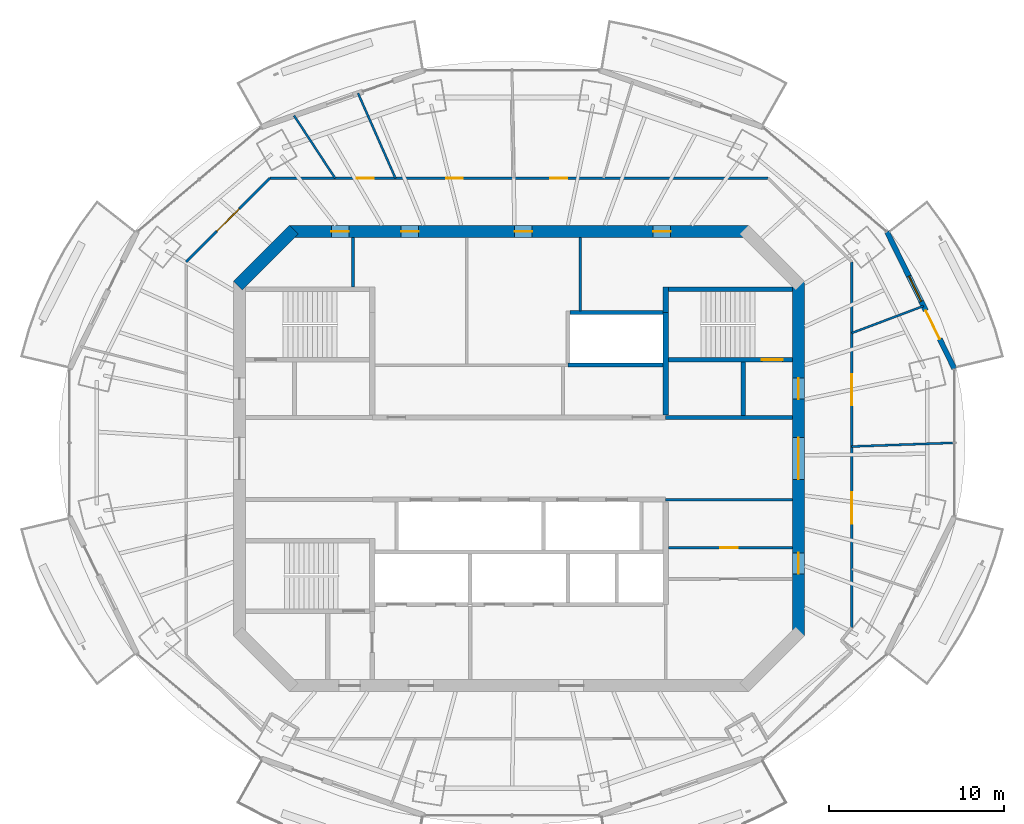
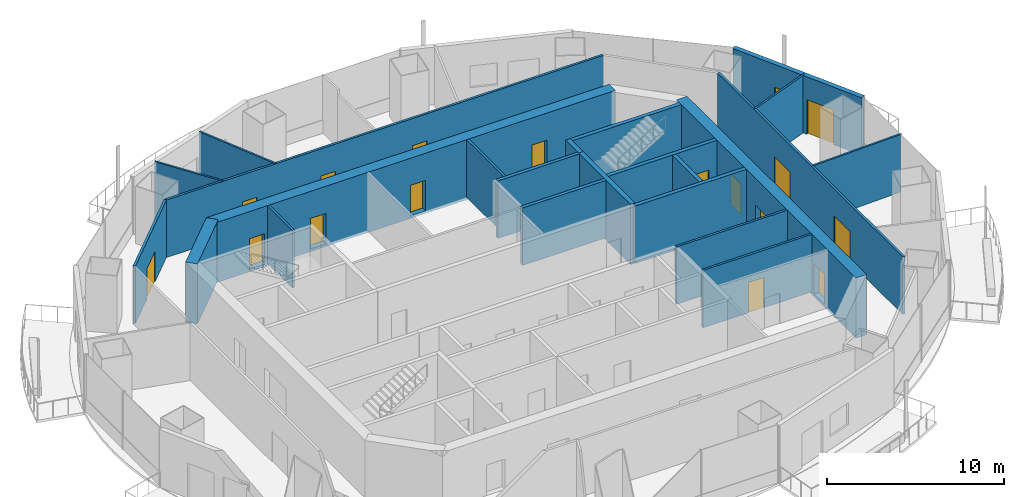
# One storey, part 10 of 16: 23 walls, 16 doors, 1 window, 17 openings.
"""IFC4 building model written with IfcOpenShell, lengths in metres."""

from ifc_helpers import new_model, si_unit, direction, frame, frame_2d, origin, place, context, subcontext, project, spatial, rectangle, extrude, material, layer, layer_set, type_object, element, fill, save


model = new_model("IFC4")

# Units and contexts
model_context = context("Model", 3, precision=1e-05, world=origin(), true_north=direction((0.0, 1.0)))
body_context = subcontext(model_context, "Body", "Model", "MODEL_VIEW")
ifc_project = project(units=[si_unit("LENGTHUNIT", "METRE"), si_unit("AREAUNIT", "SQUARE_METRE"), si_unit("VOLUMEUNIT", "CUBIC_METRE"), si_unit("PLANEANGLEUNIT", "RADIAN"), si_unit("MASSUNIT", "GRAM", prefix="KILO")], contexts=[model_context])

# Site, building, storey
site_placement = place(None, origin())
site = spatial("IfcSite", under=ifc_project, at=site_placement, CompositionType="ELEMENT")
building_placement = place(site_placement, origin())
building = spatial("IfcBuilding", under=site, at=building_placement, Name="Marenthal Gate Tower", CompositionType="ELEMENT")
storey_placement = place(building_placement, frame((0.0, 0.0, 371.64990234375)))
storey = spatial("IfcBuildingStorey", under=building, at=storey_placement, Name="L84", CompositionType="ELEMENT", Elevation=371.64990234375)

# Wall, openings, doors
ifc_material_1 = material(Name="Concrete 60 MPa", Category="concrete")
ifc_layer_1 = layer(ifc_material_1, 0.699951171875)
ifc_layer_set_1 = layer_set([ifc_layer_1], Name="Core shear wall 700")
wall_type_1 = type_object("IfcWallType", Name="Core shear wall 700", PredefinedType="SHEAR", material=ifc_layer_set_1)
wall_1_placement = place(storey_placement, frame((16.0, -10.14501953125, -0.179931640625), z_axis=(0.0, 0.0, 1.0), x_axis=(0.0, 1.0, 0.0)))
wall_1 = element("IfcWall", 1, at=wall_1_placement, inside=storey, type_object=wall_type_1, Name="Core wall 02", PredefinedType="SHEAR", context=body_context, shape_type="SweptSolid", body=[
    extrude(rectangle(XDim=20.2900390625, YDim=0.699951171875, at=frame_2d((10.14501953125, 0.0))), origin(), (0.0, 0.0, 1.0), 4.150146484375),
])
opening_1_placement = place(wall_1_placement, frame((8.945068359375, 0.0, 0.179931640625)))
opening_1 = element("IfcOpeningElement", 2, at=opening_1_placement, cuts=wall_1, Name="Opening D003.02", PredefinedType="OPENING", context=body_context, shape_type="SweptSolid", body=[
    extrude(rectangle(XDim=2.39990234375, YDim=2.10009765625, at=frame_2d((1.199951171875, 1.050048828125))), frame((0.0, 0.35986328125, 0.0), z_axis=(0.0, -1.0, 0.0), x_axis=(1.0, 0.0, 0.0)), (0.0, 0.0, 1.0), 0.719970703125),
])
opening_2_placement = place(wall_1_placement, frame((13.544921875, 0.0, 0.179931640625)))
opening_2 = element("IfcOpeningElement", 3, at=opening_2_placement, cuts=wall_1, Name="Opening D001.05", PredefinedType="OPENING", context=body_context, shape_type="SweptSolid", body=[
    extrude(rectangle(XDim=1.199951171875, YDim=2.10009765625, at=frame_2d((0.60009765625, 1.050048828125))), frame((0.0, 0.35986328125, 0.0), z_axis=(0.0, -1.0, 0.0), x_axis=(1.0, 0.0, 0.0)), (0.0, 0.0, 1.0), 0.719970703125),
])
opening_3_placement = place(wall_1_placement, frame((3.544921875, 0.0, 0.179931640625)))
opening_3 = element("IfcOpeningElement", 4, at=opening_3_placement, cuts=wall_1, Name="Opening D006.01", PredefinedType="OPENING", context=body_context, shape_type="SweptSolid", body=[
    extrude(rectangle(XDim=1.199951171875, YDim=2.10009765625, at=frame_2d((0.60009765625, 1.050048828125))), frame((0.0, 0.35986328125, 0.0), z_axis=(0.0, -1.0, 0.0), x_axis=(1.0, 0.0, 0.0)), (0.0, 0.0, 1.0), 0.719970703125),
])
ifc_material_2 = material(Name="Steel fire door", Category="steel")
door_type_1 = type_object("IfcDoorType", Name="Double fire door FD 45 2400 x 2100", OperationType="DOUBLE_DOOR_SINGLE_SWING", PredefinedType="DOOR", material=ifc_material_2)
door_1_placement = place(opening_1_placement, origin())
door_1 = element("IfcDoor", 5, at=door_1_placement, inside=storey, type_object=door_type_1, Name="Door D003.02", OperationType="DOUBLE_DOOR_SINGLE_SWING", OverallHeight=2.10009765625, OverallWidth=2.39990234375, PredefinedType="DOOR", context=body_context, shape_type="SweptSolid", body=[
    extrude(rectangle(XDim=2.39990234375, YDim=2.10009765625, at=frame_2d((1.199951171875, 1.050048828125))), frame((0.0, 0.02490234375, 0.0), z_axis=(0.0, -1.0, 0.0), x_axis=(1.0, 0.0, 0.0)), (0.0, 0.0, 1.0), 0.050048828125),
])
fill(opening_1, door_1)
ifc_material_3 = material(Name="Steel fire door", Category="steel")
door_type_2 = type_object("IfcDoorType", Name="Fire door FD 45 1200 x 2100", OperationType="NOTDEFINED", PredefinedType="DOOR", material=ifc_material_3)
door_2_placement = place(opening_3_placement, origin())
door_2 = element("IfcDoor", 6, at=door_2_placement, inside=storey, type_object=door_type_2, Name="Door D006.01", OperationType="SINGLE_SWING_RIGHT", OverallHeight=2.10009765625, OverallWidth=1.199951171875, PredefinedType="DOOR", context=body_context, shape_type="SweptSolid", body=[
    extrude(rectangle(XDim=1.199951171875, YDim=2.10009765625, at=frame_2d((0.60009765625, 1.050048828125))), frame((0.0, 0.02490234375, 0.0), z_axis=(0.0, -1.0, 0.0), x_axis=(1.0, 0.0, 0.0)), (0.0, 0.0, 1.0), 0.050048828125),
])
fill(opening_3, door_2)
ifc_material_4 = material(Name="Steel fire door", Category="steel")
door_type_3 = type_object("IfcDoorType", Name="Fire door FD 90 1200 x 2100", OperationType="NOTDEFINED", PredefinedType="DOOR", material=ifc_material_4)
door_3_placement = place(opening_2_placement, origin())
door_3 = element("IfcDoor", 7, at=door_3_placement, inside=storey, type_object=door_type_3, Name="Door D001.05", OperationType="SINGLE_SWING_RIGHT", OverallHeight=2.10009765625, OverallWidth=1.199951171875, PredefinedType="DOOR", context=body_context, shape_type="SweptSolid", body=[
    extrude(rectangle(XDim=1.199951171875, YDim=2.10009765625, at=frame_2d((0.60009765625, 1.050048828125))), frame((0.0, 0.02490234375, 0.0), z_axis=(0.0, -1.0, 0.0), x_axis=(1.0, 0.0, 0.0)), (0.0, 0.0, 1.0), 0.050048828125),
])
fill(opening_2, door_3)

wall_2_placement = place(storey_placement, frame((13.14501953125, 13.0, -0.179931640625), z_axis=(0.0, 0.0, 1.0), x_axis=(-1.0, 0.0, 0.0)))
wall_2 = element("IfcWall", 8, at=wall_2_placement, inside=storey, type_object=wall_type_1, Name="Core wall 04", PredefinedType="SHEAR", context=body_context, shape_type="SweptSolid", body=[
    extrude(rectangle(XDim=26.2900390625, YDim=0.699951171875, at=frame_2d((13.14501953125, 0.0))), origin(), (0.0, 0.0, 1.0), 4.150146484375),
])
opening_4_placement = place(wall_2_placement, frame((22.889892578125, 0.0, 0.179931640625)))
opening_4 = element("IfcOpeningElement", 9, at=opening_4_placement, cuts=wall_2, Name="Opening D005.03", PredefinedType="OPENING", context=body_context, shape_type="SweptSolid", body=[
    extrude(rectangle(XDim=1.0, YDim=2.10009765625, at=frame_2d((0.5, 1.050048828125))), frame((0.0, 0.35986328125, 0.0), z_axis=(0.0, -1.0, 0.0), x_axis=(1.0, 0.0, 0.0)), (0.0, 0.0, 1.0), 0.719970703125),
])
opening_5_placement = place(wall_2_placement, frame((18.89501953125, 0.0, 0.179931640625)))
opening_5 = element("IfcOpeningElement", 10, at=opening_5_placement, cuts=wall_2, Name="Opening D005.04", PredefinedType="OPENING", context=body_context, shape_type="SweptSolid", body=[
    extrude(rectangle(XDim=1.0, YDim=2.10009765625, at=frame_2d((0.5, 1.050048828125))), frame((0.0, 0.35986328125, 0.0), z_axis=(0.0, -1.0, 0.0), x_axis=(1.0, 0.0, 0.0)), (0.0, 0.0, 1.0), 0.719970703125),
])
opening_6_placement = place(wall_2_placement, frame((12.39501953125, 0.0, 0.179931640625)))
opening_6 = element("IfcOpeningElement", 11, at=opening_6_placement, cuts=wall_2, Name="Opening D005.05", PredefinedType="OPENING", context=body_context, shape_type="SweptSolid", body=[
    extrude(rectangle(XDim=1.0, YDim=2.10009765625, at=frame_2d((0.5, 1.050048828125))), frame((0.0, 0.35986328125, 0.0), z_axis=(0.0, -1.0, 0.0), x_axis=(1.0, 0.0, 0.0)), (0.0, 0.0, 1.0), 0.719970703125),
])
opening_7_placement = place(wall_2_placement, frame((4.46728515625, 0.0, 0.179931640625)))
opening_7 = element("IfcOpeningElement", 12, at=opening_7_placement, cuts=wall_2, Name="Opening D005.06", PredefinedType="OPENING", context=body_context, shape_type="SweptSolid", body=[
    extrude(rectangle(XDim=1.0, YDim=2.10009765625, at=frame_2d((0.5, 1.050048828125))), frame((0.0, 0.35986328125, 0.0), z_axis=(0.0, -1.0, 0.0), x_axis=(1.0, 0.0, 0.0)), (0.0, 0.0, 1.0), 0.719970703125),
])
ifc_material_5 = material(Name="Steel fire door", Category="steel")
door_type_4 = type_object("IfcDoorType", Name="Fire door FD 45 1000 x 2100", OperationType="NOTDEFINED", PredefinedType="DOOR", material=ifc_material_5)
door_4_placement = place(opening_4_placement, origin())
door_4 = element("IfcDoor", 13, at=door_4_placement, inside=storey, type_object=door_type_4, Name="Door D005.03", OperationType="SINGLE_SWING_RIGHT", OverallHeight=2.10009765625, OverallWidth=1.0, PredefinedType="DOOR", context=body_context, shape_type="SweptSolid", body=[
    extrude(rectangle(XDim=1.0, YDim=2.10009765625, at=frame_2d((0.5, 1.050048828125))), frame((0.0, 0.02490234375, 0.0), z_axis=(0.0, -1.0, 0.0), x_axis=(1.0, 0.0, 0.0)), (0.0, 0.0, 1.0), 0.050048828125),
])
fill(opening_4, door_4)
door_5_placement = place(opening_5_placement, origin())
door_5 = element("IfcDoor", 14, at=door_5_placement, inside=storey, type_object=door_type_4, Name="Door D005.04", OperationType="SINGLE_SWING_RIGHT", OverallHeight=2.10009765625, OverallWidth=1.0, PredefinedType="DOOR", context=body_context, shape_type="SweptSolid", body=[
    extrude(rectangle(XDim=1.0, YDim=2.10009765625, at=frame_2d((0.5, 1.050048828125))), frame((0.0, 0.02490234375, 0.0), z_axis=(0.0, -1.0, 0.0), x_axis=(1.0, 0.0, 0.0)), (0.0, 0.0, 1.0), 0.050048828125),
])
fill(opening_5, door_5)
door_6_placement = place(opening_6_placement, origin())
door_6 = element("IfcDoor", 15, at=door_6_placement, inside=storey, type_object=door_type_4, Name="Door D005.05", OperationType="SINGLE_SWING_RIGHT", OverallHeight=2.10009765625, OverallWidth=1.0, PredefinedType="DOOR", context=body_context, shape_type="SweptSolid", body=[
    extrude(rectangle(XDim=1.0, YDim=2.10009765625, at=frame_2d((0.5, 1.050048828125))), frame((0.0, 0.02490234375, 0.0), z_axis=(0.0, -1.0, 0.0), x_axis=(1.0, 0.0, 0.0)), (0.0, 0.0, 1.0), 0.050048828125),
])
fill(opening_6, door_6)
door_7_placement = place(opening_7_placement, origin())
door_7 = element("IfcDoor", 16, at=door_7_placement, inside=storey, type_object=door_type_4, Name="Door D005.06", OperationType="SINGLE_SWING_RIGHT", OverallHeight=2.10009765625, OverallWidth=1.0, PredefinedType="DOOR", context=body_context, shape_type="SweptSolid", body=[
    extrude(rectangle(XDim=1.0, YDim=2.10009765625, at=frame_2d((0.5, 1.050048828125))), frame((0.0, 0.02490234375, 0.0), z_axis=(0.0, -1.0, 0.0), x_axis=(1.0, 0.0, 0.0)), (0.0, 0.0, 1.0), 0.050048828125),
])
fill(opening_7, door_7)

# Walls
wall_3_placement = place(storey_placement, frame((-12.8974609375, 13.1025390625, -0.179931640625), z_axis=(0.0, 0.0, 1.0), x_axis=(-0.707106781187, -0.707106781187, 0.0)))
element("IfcWall", 17, at=wall_3_placement, inside=storey, type_object=wall_type_1, Name="Core wall 05", PredefinedType="SHEAR", context=body_context, shape_type="SweptSolid", body=[
    extrude(rectangle(XDim=4.53271484375, YDim=0.699951171875, at=frame_2d((2.266357421875, 0.0))), origin(), (0.0, 0.0, 1.0), 4.150146484375),
])
ifc_material_6 = material(Name="Concrete 50 MPa", Category="concrete")
ifc_layer_2 = layer(ifc_material_6, 0.300048828125)
ifc_layer_set_2 = layer_set([ifc_layer_2], Name="Hoistway shear wall 300")
wall_type_2 = type_object("IfcWallType", Name="Hoistway shear wall 300", PredefinedType="SHEAR", material=ifc_layer_set_2)
wall_4_placement = place(storey_placement, frame((8.39990234375, 2.5, -0.179931640625), z_axis=(0.0, 0.0, 1.0), x_axis=(0.0, 1.0, 0.0)))
element("IfcWall", 18, at=wall_4_placement, inside=storey, type_object=wall_type_2, Name="Hoistway wall 49", PredefinedType="SHEAR", context=body_context, shape_type="SweptSolid", body=[
    extrude(rectangle(XDim=5.85009765625, YDim=0.300048828125, at=frame_2d((2.925048828125, 0.0))), origin(), (0.0, 0.0, 1.0), 4.150146484375),
])
ifc_material_7 = material(Name="Concrete 40 MPa", Category="concrete")
ifc_layer_3 = layer(ifc_material_7, 0.219970703125)
ifc_layer_set_3 = layer_set([ifc_layer_3], Name="Hoistway wall 220")
wall_type_3 = type_object("IfcWallType", Name="Hoistway wall 220", PredefinedType="STANDARD", material=ifc_layer_set_3)
wall_5_placement = place(storey_placement, frame((2.800048828125, 5.35009765625, 0.0), z_axis=(0.0, 0.0, 1.0), x_axis=(1.0, 0.0, 0.0)))
element("IfcWall", 19, at=wall_5_placement, inside=storey, type_object=wall_type_3, Name="Hoistway wall 23", PredefinedType="STANDARD", context=body_context, shape_type="SweptSolid", body=[
    extrude(rectangle(XDim=5.449951171875, YDim=0.219970703125, at=frame_2d((2.72509765625, 0.0))), origin(), (0.0, 0.0, 1.0), 3.97021484375),
])
wall_6_placement = place(storey_placement, frame((2.909912109375, 8.35009765625, 0.0), z_axis=(0.0, 0.0, 1.0), x_axis=(1.0, 0.0, 0.0)))
element("IfcWall", 20, at=wall_6_placement, inside=storey, type_object=wall_type_3, Name="Hoistway wall 26", PredefinedType="STANDARD", context=body_context, shape_type="SweptSolid", body=[
    extrude(rectangle(XDim=5.340087890625, YDim=0.219970703125, at=frame_2d((2.669921875, 0.0))), origin(), (0.0, 0.0, 1.0), 3.97021484375),
])
ifc_material_8 = material(Name="Gypsum board on steel studs", Category="steel")
ifc_layer_4 = layer(ifc_material_8, 0.1201171875)
ifc_layer_set_4 = layer_set([ifc_layer_4], Name="Partition 120")
wall_type_4 = type_object("IfcWallType", Name="Partition 120", PredefinedType="PARTITIONING", material=ifc_layer_set_4)
wall_7_placement = place(storey_placement, frame((-10.527587890625, 16.050048828125, 0.0), z_axis=(0.0, 0.0, 1.0), x_axis=(-0.548477171189, 0.836165529477, 0.0)))
element("IfcWall", 21, at=wall_7_placement, inside=storey, type_object=wall_type_4, Name="Partition wall 60", PredefinedType="PARTITIONING", context=body_context, shape_type="SweptSolid", body=[
    extrude(rectangle(XDim=4.283935546875, YDim=0.1201171875, at=frame_2d((2.14208984375, 0.0))), origin(), (0.0, 0.0, 1.0), 3.97021484375),
])
wall_8_placement = place(storey_placement, frame((-7.07275390625, 16.050048828125, 0.0), z_axis=(0.0, 0.0, 1.0), x_axis=(-0.403253099631, 0.915088486234, 0.0)))
element("IfcWall", 22, at=wall_8_placement, inside=storey, type_object=wall_type_4, Name="Partition wall 61", PredefinedType="PARTITIONING", context=body_context, shape_type="SweptSolid", body=[
    extrude(rectangle(XDim=5.310791015625, YDim=0.1201171875, at=frame_2d((2.6552734375, 0.0))), origin(), (0.0, 0.0, 1.0), 3.97021484375),
])
wall_9_placement = place(storey_placement, frame((19.050048828125, 0.687744140625, 0.0), z_axis=(0.0, 0.0, 1.0), x_axis=(0.999348759749, 0.036084018458, 0.0)))
element("IfcWall", 23, at=wall_9_placement, inside=storey, type_object=wall_type_4, Name="Partition wall 74", PredefinedType="PARTITIONING", context=body_context, shape_type="SweptSolid", body=[
    extrude(rectangle(XDim=5.879638671875, YDim=0.1201171875, at=frame_2d((2.93994140625, 0.0))), origin(), (0.0, 0.0, 1.0), 3.97021484375),
])
wall_10_placement = place(storey_placement, frame((19.050048828125, 7.181884765625, 0.0), z_axis=(0.0, 0.0, 1.0), x_axis=(0.935715632494, 0.352755233989, 0.0)))
element("IfcWall", 24, at=wall_10_placement, inside=storey, type_object=wall_type_4, Name="Partition wall 75", PredefinedType="PARTITIONING", context=body_context, shape_type="SweptSolid", body=[
    extrude(rectangle(XDim=4.392822265625, YDim=0.1201171875, at=frame_2d((2.1962890625, 0.0))), origin(), (0.0, 0.0, 1.0), 3.97021484375),
])

# Wall, opening, door
ifc_material_9 = material(Name="Gypsum board on steel studs", Category="steel")
ifc_layer_5 = layer(ifc_material_9, 0.14990234375)
ifc_layer_set_5 = layer_set([ifc_layer_5], Name="Partition 150")
wall_type_5 = type_object("IfcWallType", Name="Partition 150", PredefinedType="PARTITIONING", material=ifc_layer_set_5)
wall_11_placement = place(storey_placement, frame((8.550048828125, -5.10009765625, 0.0), z_axis=(0.0, 0.0, 1.0), x_axis=(1.0, 0.0, 0.0)))
wall_11 = element("IfcWall", 25, at=wall_11_placement, inside=storey, type_object=wall_type_5, Name="Partition wall 14", PredefinedType="PARTITIONING", context=body_context, shape_type="SweptSolid", body=[
    extrude(rectangle(XDim=7.099853515625, YDim=0.14990234375, at=frame_2d((3.5498046875, 0.0))), origin(), (0.0, 0.0, 1.0), 3.97021484375),
])
opening_8_placement = place(wall_11_placement, frame((2.97509765625, 0.0, 0.0)))
opening_8 = element("IfcOpeningElement", 26, at=opening_8_placement, cuts=wall_11, Name="Opening D005.07", PredefinedType="OPENING", context=body_context, shape_type="SweptSolid", body=[
    extrude(rectangle(XDim=1.0, YDim=2.10009765625, at=frame_2d((0.5, 1.050048828125))), frame((0.0, 0.0849609375, 0.0), z_axis=(0.0, -1.0, 0.0), x_axis=(1.0, 0.0, 0.0)), (0.0, 0.0, 1.0), 0.169921875),
])
door_8_placement = place(opening_8_placement, origin())
door_8 = element("IfcDoor", 27, at=door_8_placement, inside=storey, type_object=door_type_4, Name="Door D005.07", OperationType="SINGLE_SWING_RIGHT", OverallHeight=2.10009765625, OverallWidth=1.0, PredefinedType="DOOR", context=body_context, shape_type="SweptSolid", body=[
    extrude(rectangle(XDim=1.0, YDim=2.10009765625, at=frame_2d((0.5, 1.050048828125))), frame((0.0, 0.02490234375, 0.0), z_axis=(0.0, -1.0, 0.0), x_axis=(1.0, 0.0, 0.0)), (0.0, 0.0, 1.0), 0.050048828125),
])
fill(opening_8, door_8)

# Walls
wall_12_placement = place(storey_placement, frame((8.39990234375, -2.35009765625, 0.0), z_axis=(0.0, 0.0, 1.0), x_axis=(1.0, 0.0, 0.0)))
element("IfcWall", 28, at=wall_12_placement, inside=storey, type_object=wall_type_5, Name="Partition wall 18", PredefinedType="PARTITIONING", context=body_context, shape_type="SweptSolid", body=[
    extrude(rectangle(XDim=7.25, YDim=0.14990234375, at=frame_2d((3.625, 0.0))), origin(), (0.0, 0.0, 1.0), 3.97021484375),
])
wall_13_placement = place(storey_placement, frame((-9.5, 9.824951171875, 0.0), z_axis=(0.0, 0.0, 1.0), x_axis=(0.0, 1.0, 0.0)))
element("IfcWall", 29, at=wall_13_placement, inside=storey, type_object=wall_type_5, Name="Partition wall 31", PredefinedType="PARTITIONING", context=body_context, shape_type="SweptSolid", body=[
    extrude(rectangle(XDim=2.824951171875, YDim=0.14990234375, at=frame_2d((1.41259765625, 0.0))), origin(), (0.0, 0.0, 1.0), 3.97021484375),
])
wall_14_placement = place(storey_placement, frame((3.5, 8.4599609375, 0.0), z_axis=(0.0, 0.0, 1.0), x_axis=(0.0, 1.0, 0.0)))
element("IfcWall", 30, at=wall_14_placement, inside=storey, type_object=wall_type_5, Name="Partition wall 44", PredefinedType="PARTITIONING", context=body_context, shape_type="SweptSolid", body=[
    extrude(rectangle(XDim=4.18994140625, YDim=0.14990234375, at=frame_2d((2.094970703125, 0.0))), origin(), (0.0, 0.0, 1.0), 3.97021484375),
])

# Wall, opening, door
wall_15_placement = place(storey_placement, frame((-19.050048828125, 11.263427734375, 0.0), z_axis=(0.0, 0.0, 1.0), x_axis=(0.707106781187, 0.707106781187, 0.0)))
wall_15 = element("IfcWall", 31, at=wall_15_placement, inside=storey, type_object=wall_type_5, Name="Partition wall 54", PredefinedType="PARTITIONING", context=body_context, shape_type="SweptSolid", body=[
    extrude(rectangle(XDim=6.769287109375, YDim=0.14990234375, at=frame_2d((3.384765625, 0.0))), origin(), (0.0, 0.0, 1.0), 3.97021484375),
])
opening_9_placement = place(wall_15_placement, frame((2.485107421875, 0.0, 0.0)))
opening_9 = element("IfcOpeningElement", 32, at=opening_9_placement, cuts=wall_15, Name="Opening D014.02", PredefinedType="OPENING", context=body_context, shape_type="SweptSolid", body=[
    extrude(rectangle(XDim=1.800048828125, YDim=2.10009765625, at=frame_2d((0.89990234375, 1.050048828125))), frame((0.0, 0.0849609375, 0.0), z_axis=(0.0, -1.0, 0.0), x_axis=(1.0, 0.0, 0.0)), (0.0, 0.0, 1.0), 0.169921875),
])
ifc_material_10 = material(Name="Timber door", Category="wood")
door_type_5 = type_object("IfcDoorType", Name="Double door 1800 x 2100", OperationType="DOUBLE_DOOR_SINGLE_SWING", PredefinedType="DOOR", material=ifc_material_10)
door_9_placement = place(opening_9_placement, origin())
door_9 = element("IfcDoor", 33, at=door_9_placement, inside=storey, type_object=door_type_5, Name="Door D014.02", OperationType="DOUBLE_DOOR_SINGLE_SWING", OverallHeight=2.10009765625, OverallWidth=1.800048828125, PredefinedType="DOOR", context=body_context, shape_type="SweptSolid", body=[
    extrude(rectangle(XDim=1.800048828125, YDim=2.10009765625, at=frame_2d((0.89990234375, 1.050048828125))), frame((0.0, 0.02490234375, 0.0), z_axis=(0.0, -1.0, 0.0), x_axis=(1.0, 0.0, 0.0)), (0.0, 0.0, 1.0), 0.050048828125),
])
fill(opening_9, door_9)

# Wall, openings, doors
wall_16_placement = place(storey_placement, frame((-14.263427734375, 16.050048828125, 0.0), z_axis=(0.0, 0.0, 1.0), x_axis=(1.0, 0.0, 0.0)))
wall_16 = element("IfcWall", 34, at=wall_16_placement, inside=storey, type_object=wall_type_5, Name="Partition wall 56", PredefinedType="PARTITIONING", context=body_context, shape_type="SweptSolid", body=[
    extrude(rectangle(XDim=28.52685546875, YDim=0.14990234375, at=frame_2d((14.263427734375, 0.0))), origin(), (0.0, 0.0, 1.0), 3.97021484375),
])
opening_10_placement = place(wall_16_placement, frame((16.06396484375, 0.0, 0.0)))
opening_10 = element("IfcOpeningElement", 35, at=opening_10_placement, cuts=wall_16, Name="Opening D016.02", PredefinedType="OPENING", context=body_context, shape_type="SweptSolid", body=[
    extrude(rectangle(XDim=0.949951171875, YDim=2.10009765625, at=frame_2d((0.47509765625, 1.050048828125))), frame((0.0, 0.0849609375, 0.0), z_axis=(0.0, -1.0, 0.0), x_axis=(1.0, 0.0, 0.0)), (0.0, 0.0, 1.0), 0.169921875),
])
opening_11_placement = place(wall_16_placement, frame((10.10693359375, 0.0, 0.0)))
opening_11 = element("IfcOpeningElement", 36, at=opening_11_placement, cuts=wall_16, Name="Opening D016.03", PredefinedType="OPENING", context=body_context, shape_type="SweptSolid", body=[
    extrude(rectangle(XDim=0.949951171875, YDim=2.10009765625, at=frame_2d((0.47509765625, 1.050048828125))), frame((0.0, 0.0849609375, 0.0), z_axis=(0.0, -1.0, 0.0), x_axis=(1.0, 0.0, 0.0)), (0.0, 0.0, 1.0), 0.169921875),
])
opening_12_placement = place(wall_16_placement, frame((4.988037109375, 0.0, 0.0)))
opening_12 = element("IfcOpeningElement", 37, at=opening_12_placement, cuts=wall_16, Name="Opening D016.04", PredefinedType="OPENING", context=body_context, shape_type="SweptSolid", body=[
    extrude(rectangle(XDim=0.949951171875, YDim=2.10009765625, at=frame_2d((0.47509765625, 1.050048828125))), frame((0.0, 0.0849609375, 0.0), z_axis=(0.0, -1.0, 0.0), x_axis=(1.0, 0.0, 0.0)), (0.0, 0.0, 1.0), 0.169921875),
])
ifc_material_11 = material(Name="Timber door", Category="wood")
door_type_6 = type_object("IfcDoorType", Name="Door 950 x 2100", OperationType="NOTDEFINED", PredefinedType="DOOR", material=ifc_material_11)
door_10_placement = place(opening_10_placement, origin())
door_10 = element("IfcDoor", 38, at=door_10_placement, inside=storey, type_object=door_type_6, Name="Door D016.02", OperationType="SINGLE_SWING_RIGHT", OverallHeight=2.10009765625, OverallWidth=0.949951171875, PredefinedType="DOOR", context=body_context, shape_type="SweptSolid", body=[
    extrude(rectangle(XDim=0.949951171875, YDim=2.10009765625, at=frame_2d((0.47509765625, 1.050048828125))), frame((0.0, 0.02490234375, 0.0), z_axis=(0.0, -1.0, 0.0), x_axis=(1.0, 0.0, 0.0)), (0.0, 0.0, 1.0), 0.050048828125),
])
fill(opening_10, door_10)
door_11_placement = place(opening_11_placement, origin())
door_11 = element("IfcDoor", 39, at=door_11_placement, inside=storey, type_object=door_type_6, Name="Door D016.03", OperationType="SINGLE_SWING_RIGHT", OverallHeight=2.10009765625, OverallWidth=0.949951171875, PredefinedType="DOOR", context=body_context, shape_type="SweptSolid", body=[
    extrude(rectangle(XDim=0.949951171875, YDim=2.10009765625, at=frame_2d((0.47509765625, 1.050048828125))), frame((0.0, 0.02490234375, 0.0), z_axis=(0.0, -1.0, 0.0), x_axis=(1.0, 0.0, 0.0)), (0.0, 0.0, 1.0), 0.050048828125),
])
fill(opening_11, door_11)
door_12_placement = place(opening_12_placement, origin())
door_12 = element("IfcDoor", 40, at=door_12_placement, inside=storey, type_object=door_type_6, Name="Door D016.04", OperationType="SINGLE_SWING_RIGHT", OverallHeight=2.10009765625, OverallWidth=0.949951171875, PredefinedType="DOOR", context=body_context, shape_type="SweptSolid", body=[
    extrude(rectangle(XDim=0.949951171875, YDim=2.10009765625, at=frame_2d((0.47509765625, 1.050048828125))), frame((0.0, 0.02490234375, 0.0), z_axis=(0.0, -1.0, 0.0), x_axis=(1.0, 0.0, 0.0)), (0.0, 0.0, 1.0), 0.050048828125),
])
fill(opening_12, door_12)

wall_17_placement = place(storey_placement, frame((19.050048828125, 11.263427734375, 0.0), z_axis=(0.0, 0.0, 1.0), x_axis=(0.0, -1.0, 0.0)))
wall_17 = element("IfcWall", 41, at=wall_17_placement, inside=storey, type_object=wall_type_5, Name="Partition wall 76", PredefinedType="PARTITIONING", context=body_context, shape_type="SweptSolid", body=[
    extrude(rectangle(XDim=20.92919921875, YDim=0.14990234375, at=frame_2d((10.464599609375, 0.0))), origin(), (0.0, 0.0, 1.0), 3.97021484375),
])
opening_13_placement = place(wall_17_placement, frame((6.427978515625, 0.0, 0.0)))
opening_13 = element("IfcOpeningElement", 42, at=opening_13_placement, cuts=wall_17, Name="Opening D014.01", PredefinedType="OPENING", context=body_context, shape_type="SweptSolid", body=[
    extrude(rectangle(XDim=1.800048828125, YDim=2.10009765625, at=frame_2d((0.89990234375, 1.050048828125))), frame((0.0, 0.0849609375, 0.0), z_axis=(0.0, -1.0, 0.0), x_axis=(1.0, 0.0, 0.0)), (0.0, 0.0, 1.0), 0.169921875),
])
opening_14_placement = place(wall_17_placement, frame((13.18603515625, 0.0, 0.0)))
opening_14 = element("IfcOpeningElement", 43, at=opening_14_placement, cuts=wall_17, Name="Opening D014.04", PredefinedType="OPENING", context=body_context, shape_type="SweptSolid", body=[
    extrude(rectangle(XDim=1.800048828125, YDim=2.10009765625, at=frame_2d((0.89990234375, 1.050048828125))), frame((0.0, 0.0849609375, 0.0), z_axis=(0.0, -1.0, 0.0), x_axis=(1.0, 0.0, 0.0)), (0.0, 0.0, 1.0), 0.169921875),
])
door_13_placement = place(opening_13_placement, origin())
door_13 = element("IfcDoor", 44, at=door_13_placement, inside=storey, type_object=door_type_5, Name="Door D014.01", OperationType="DOUBLE_DOOR_SINGLE_SWING", OverallHeight=2.10009765625, OverallWidth=1.800048828125, PredefinedType="DOOR", context=body_context, shape_type="SweptSolid", body=[
    extrude(rectangle(XDim=1.800048828125, YDim=2.10009765625, at=frame_2d((0.89990234375, 1.050048828125))), frame((0.0, 0.02490234375, 0.0), z_axis=(0.0, -1.0, 0.0), x_axis=(1.0, 0.0, 0.0)), (0.0, 0.0, 1.0), 0.050048828125),
])
fill(opening_13, door_13)
door_14_placement = place(opening_14_placement, origin())
door_14 = element("IfcDoor", 45, at=door_14_placement, inside=storey, type_object=door_type_5, Name="Door D014.04", OperationType="DOUBLE_DOOR_SINGLE_SWING", OverallHeight=2.10009765625, OverallWidth=1.800048828125, PredefinedType="DOOR", context=body_context, shape_type="SweptSolid", body=[
    extrude(rectangle(XDim=1.800048828125, YDim=2.10009765625, at=frame_2d((0.89990234375, 1.050048828125))), frame((0.0, 0.02490234375, 0.0), z_axis=(0.0, -1.0, 0.0), x_axis=(1.0, 0.0, 0.0)), (0.0, 0.0, 1.0), 0.050048828125),
])
fill(opening_14, door_14)

# Walls
ifc_material_12 = material(Name="Concrete 40 MPa", Category="concrete")
ifc_layer_6 = layer(ifc_material_12, 0.25)
ifc_layer_set_6 = layer_set([ifc_layer_6], Name="Stair enclosure wall 250")
wall_type_6 = type_object("IfcWallType", Name="Stair enclosure wall 250", PredefinedType="STANDARD", material=ifc_layer_set_6)
wall_18_placement = place(storey_placement, frame((8.39990234375, 2.35009765625, 0.0), z_axis=(0.0, 0.0, 1.0), x_axis=(1.0, 0.0, 0.0)))
element("IfcWall", 46, at=wall_18_placement, inside=storey, type_object=wall_type_6, Name="Stair wall 21", PredefinedType="STANDARD", context=body_context, shape_type="SweptSolid", body=[
    extrude(rectangle(XDim=7.25, YDim=0.25, at=frame_2d((3.625, 0.0))), origin(), (0.0, 0.0, 1.0), 3.97021484375),
])
wall_19_placement = place(storey_placement, frame((12.85009765625, 2.47509765625, 0.0), z_axis=(0.0, 0.0, 1.0), x_axis=(0.0, 1.0, 0.0)))
element("IfcWall", 47, at=wall_19_placement, inside=storey, type_object=wall_type_6, Name="Stair wall 51", PredefinedType="STANDARD", context=body_context, shape_type="SweptSolid", body=[
    extrude(rectangle(XDim=3.0498046875, YDim=0.25, at=frame_2d((1.52490234375, 0.0))), origin(), (0.0, 0.0, 1.0), 3.97021484375),
])

# Wall, opening, door
ifc_material_13 = material(Name="Concrete 50 MPa", Category="concrete")
ifc_layer_7 = layer(ifc_material_13, 0.25)
ifc_layer_set_7 = layer_set([ifc_layer_7], Name="Stair shear wall 250")
wall_type_7 = type_object("IfcWallType", Name="Stair shear wall 250", PredefinedType="SHEAR", material=ifc_layer_set_7)
wall_20_placement = place(storey_placement, frame((8.550048828125, 5.64990234375, -0.179931640625), z_axis=(0.0, 0.0, 1.0), x_axis=(1.0, 0.0, 0.0)))
wall_20 = element("IfcWall", 48, at=wall_20_placement, inside=storey, type_object=wall_type_7, Name="Stair wall 25", PredefinedType="SHEAR", context=body_context, shape_type="SweptSolid", body=[
    extrude(rectangle(XDim=7.099853515625, YDim=0.25, at=frame_2d((3.5498046875, 0.0))), origin(), (0.0, 0.0, 1.0), 4.150146484375),
])
opening_15_placement = place(wall_20_placement, frame((5.35009765625, 0.0, 0.179931640625)))
opening_15 = element("IfcOpeningElement", 49, at=opening_15_placement, cuts=wall_20, Name="Opening D001.02", PredefinedType="OPENING", context=body_context, shape_type="SweptSolid", body=[
    extrude(rectangle(XDim=1.199951171875, YDim=2.10009765625, at=frame_2d((0.60009765625, 1.050048828125))), frame((0.0, 0.135009765625, 0.0), z_axis=(0.0, -1.0, 0.0), x_axis=(1.0, 0.0, 0.0)), (0.0, 0.0, 1.0), 0.27001953125),
])
door_15_placement = place(opening_15_placement, origin())
door_15 = element("IfcDoor", 50, at=door_15_placement, inside=storey, type_object=door_type_3, Name="Door D001.02", OperationType="SINGLE_SWING_RIGHT", OverallHeight=2.10009765625, OverallWidth=1.199951171875, PredefinedType="DOOR", context=body_context, shape_type="SweptSolid", body=[
    extrude(rectangle(XDim=1.199951171875, YDim=2.10009765625, at=frame_2d((0.60009765625, 1.050048828125))), frame((0.0, 0.02490234375, 0.0), z_axis=(0.0, -1.0, 0.0), x_axis=(1.0, 0.0, 0.0)), (0.0, 0.0, 1.0), 0.050048828125),
])
fill(opening_15, door_15)

# Walls
wall_21_placement = place(storey_placement, frame((8.550048828125, 9.699951171875, -0.179931640625), z_axis=(0.0, 0.0, 1.0), x_axis=(1.0, 0.0, 0.0)))
element("IfcWall", 51, at=wall_21_placement, inside=storey, type_object=wall_type_7, Name="Stair wall 28", PredefinedType="SHEAR", context=body_context, shape_type="SweptSolid", body=[
    extrude(rectangle(XDim=7.099853515625, YDim=0.25, at=frame_2d((3.5498046875, 0.0))), origin(), (0.0, 0.0, 1.0), 4.150146484375),
])
ifc_material_14 = material(Name="Concrete 50 MPa", Category="concrete")
ifc_layer_8 = layer(ifc_material_14, 0.300048828125)
ifc_layer_set_8 = layer_set([ifc_layer_8], Name="Stair shear wall 300")
wall_type_8 = type_object("IfcWallType", Name="Stair shear wall 300", PredefinedType="SHEAR", material=ifc_layer_set_8)
wall_22_placement = place(storey_placement, frame((8.39990234375, 8.35009765625, -0.179931640625), z_axis=(0.0, 0.0, 1.0), x_axis=(0.0, 1.0, 0.0)))
element("IfcWall", 52, at=wall_22_placement, inside=storey, type_object=wall_type_8, Name="Stair wall 50", PredefinedType="SHEAR", context=body_context, shape_type="SweptSolid", body=[
    extrude(rectangle(XDim=1.474853515625, YDim=0.300048828125, at=frame_2d((0.7373046875, 0.0))), origin(), (0.0, 0.0, 1.0), 4.150146484375),
])

# Wall, openings, door, window
ifc_material_15 = material(Name="Terracotta cladding on insulated concrete-block backing", Category="masonry")
ifc_layer_9 = layer(ifc_material_15, 0.300048828125)
ifc_layer_set_9 = layer_set([ifc_layer_9], Name="Terracotta facade wall 300")
wall_type_9 = type_object("IfcWallType", Name="Terracotta facade wall 300", PredefinedType="SOLIDWALL", material=ifc_layer_set_9)
wall_23_placement = place(storey_placement, frame((24.92578125, 5.14208984375, 0.0), z_axis=(0.0, 0.0, 1.0), x_axis=(-0.441346217757, 0.897336902212, 0.0)))
wall_23 = element("IfcWall", 53, at=wall_23_placement, inside=storey, type_object=wall_type_9, Name="Terracotta facade wall L84 bay 1", PredefinedType="SOLIDWALL", context=body_context, shape_type="SweptSolid", body=[
    extrude(rectangle(XDim=8.735595703125, YDim=0.300048828125, at=frame_2d((4.36767578125, 0.0))), origin(), (0.0, 0.0, 1.0), 3.97021484375),
])
opening_16_placement = place(wall_23_placement, frame((1.89990234375, 0.0, 0.0)))
opening_16 = element("IfcOpeningElement", 54, at=opening_16_placement, cuts=wall_23, Name="Opening BD-L84-01", PredefinedType="OPENING", context=body_context, shape_type="SweptSolid", body=[
    extrude(rectangle(XDim=1.800048828125, YDim=2.39990234375, at=frame_2d((0.89990234375, 1.199951171875))), frame((0.0, 0.16015625, 0.0), z_axis=(0.0, -1.0, 0.0), x_axis=(1.0, 0.0, 0.0)), (0.0, 0.0, 1.0), 0.320068359375),
])
opening_17_placement = place(wall_23_placement, frame((4.300048828125, 0.0, 0.89990234375)))
opening_17 = element("IfcOpeningElement", 55, at=opening_17_placement, cuts=wall_23, Name="Opening WN3-L84-01", PredefinedType="OPENING", context=body_context, shape_type="SweptSolid", body=[
    extrude(rectangle(XDim=1.60009765625, YDim=1.5, at=frame_2d((0.800048828125, 0.75))), frame((0.0, 0.16015625, 0.0), z_axis=(0.0, -1.0, 0.0), x_axis=(1.0, 0.0, 0.0)), (0.0, 0.0, 1.0), 0.320068359375),
])
ifc_material_16 = material(Name="Aluminium and glass", Category="aluminium")
door_type_7 = type_object("IfcDoorType", Name="Balcony door 1800x2400", OperationType="DOUBLE_DOOR_SINGLE_SWING", PredefinedType="DOOR", material=ifc_material_16)
door_16_placement = place(opening_16_placement, origin())
door_16 = element("IfcDoor", 56, at=door_16_placement, inside=storey, type_object=door_type_7, Name="Balcony door L84 bay 1", OperationType="SINGLE_SWING_LEFT", OverallHeight=2.39990234375, OverallWidth=1.800048828125, PredefinedType="DOOR", context=body_context, shape_type="SweptSolid", body=[
    extrude(rectangle(XDim=1.800048828125, YDim=2.39990234375, at=frame_2d((0.89990234375, 1.199951171875))), frame((0.0, 0.02490234375, 0.0), z_axis=(0.0, -1.0, 0.0), x_axis=(1.0, 0.0, 0.0)), (0.0, 0.0, 1.0), 0.050048828125),
])
fill(opening_16, door_16)
ifc_material_17 = material(Name="Aluminium and glass", Category="aluminium")
window_type = type_object("IfcWindowType", Name="Window 1600x1500", PartitioningType="DOUBLE_PANEL_VERTICAL", PredefinedType="WINDOW", material=ifc_material_17)
window_placement = place(opening_17_placement, origin())
window = element("IfcWindow", 57, at=window_placement, inside=storey, type_object=window_type, Name="Window L84 bay 1", OverallHeight=1.5, OverallWidth=1.60009765625, PartitioningType="SINGLE_PANEL", PredefinedType="WINDOW", context=body_context, shape_type="SweptSolid", body=[
    extrude(rectangle(XDim=1.60009765625, YDim=1.5, at=frame_2d((0.800048828125, 0.75))), frame((0.0, 0.030029296875, 0.0), z_axis=(0.0, -1.0, 0.0), x_axis=(1.0, 0.0, 0.0)), (0.0, 0.0, 1.0), 0.06005859375),
])
fill(opening_17, window)

save(model, "model.ifc")
